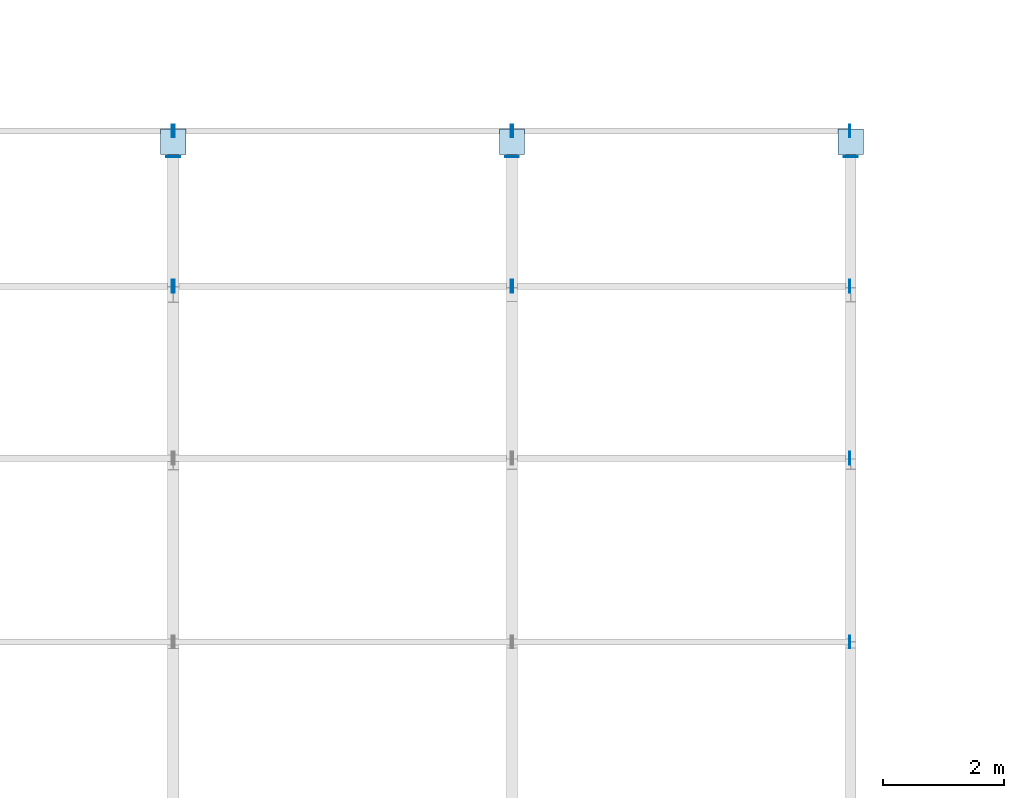
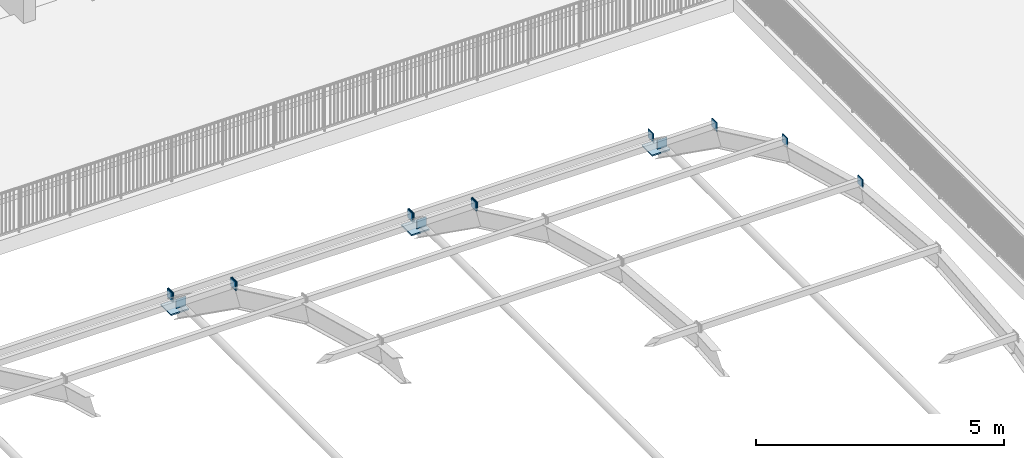
# One storey, part 50 of 79: 18 plates.
"""IFC4 building model written with IfcOpenShell, lengths in metres."""

from ifc_helpers import new_model, si_unit, direction, frame, origin, origin_2d, place, context, subcontext, project, spatial, rectangle, extrude, material, layer, layer_set, type_object, element, save


model = new_model("IFC4")

# Units and contexts
model_context = context("Model", 3, precision=1e-05, world=origin(), true_north=direction((0.0, 1.0)))
body_context = subcontext(model_context, "Body", "Model", "MODEL_VIEW")
ifc_project = project(units=[si_unit("LENGTHUNIT", "METRE"), si_unit("AREAUNIT", "SQUARE_METRE"), si_unit("VOLUMEUNIT", "CUBIC_METRE"), si_unit("PLANEANGLEUNIT", "RADIAN"), si_unit("MASSUNIT", "GRAM", prefix="KILO")], contexts=[model_context])

# Site, building, storey
site_placement = place(None, origin())
site = spatial("IfcSite", under=ifc_project, at=site_placement, CompositionType="ELEMENT")
building_placement = place(site_placement, origin())
building = spatial("IfcBuilding", under=site, at=building_placement, Name="Zantavel Square City Hall", CompositionType="ELEMENT")
storey_placement = place(building_placement, frame((0.0, 0.0, 10.199951171875)))
storey = spatial("IfcBuildingStorey", under=building, at=storey_placement, Name="L03", CompositionType="ELEMENT", Elevation=10.199951171875)

# Plates
ifc_material = material(Name="Steel ASTM A572 Grade 50", Category="steel")
ifc_layer_1 = layer(ifc_material, 0.01611328125, Name="Steel ASTM A572 Grade 50")
ifc_layer_set_1 = layer_set([ifc_layer_1], Name="Steel ASTM A572 Grade 50")
plate_type_1 = type_object("IfcPlateType", Name="CHS 168 End Cap Plate 16mm", PredefinedType="SHEET", material=ifc_layer_set_1)
for number, where, z_axis, x_axis, name in (
    (1, (136.800048828125, 64.35595703125, 0.16748046875), (0.0, 0.0, 1.0), (0.0, 1.0, 0.0), "Skylight Rib 3 Tie End Cap 2"),
    (2, (142.39990234375, 64.35595703125, 0.16748046875), (0.0, 0.0, 1.0), (0.0, 1.0, 0.0), "Skylight Rib 4 Tie End Cap 2"),
    (3, (148.0, 64.35595703125, 0.16748046875), (0.0, 0.0, 1.0), (0.0, 1.0, 0.0), "Skylight Rib 5 Tie End Cap 2"),
):
    element("IfcPlate", number, at=place(storey_placement, frame(where, z_axis=z_axis, x_axis=x_axis)), inside=storey, type_object=plate_type_1, Name=name, PredefinedType="SHEET", context=body_context, shape_type="SweptSolid", body=[
        extrude(rectangle(XDim=0.01611328125, YDim=0.22509765625, at=origin_2d()), origin(), (0.0, 0.0, 1.0), 0.22509765625),
    ])
ifc_layer_2 = layer(ifc_material, 0.01611328125, Name="Steel ASTM A572 Grade 50")
ifc_layer_set_2 = layer_set([ifc_layer_2], Name="Steel ASTM A572 Grade 50")
plate_type_2 = type_object("IfcPlateType", Name="HSS 152x102 End Cap Plate 16mm", PredefinedType="SHEET", material=ifc_layer_set_2)
for number, where, z_axis, x_axis, name in (
    (4, (136.785888671875, 62.215087890625, 1.927978515625), (0.0, 0.0, 1.0), (1.0, 0.0, 0.0), "Skylight Bay 2 Purlin 8 End Cap 2"),
    (5, (136.785888671875, 64.77978515625, 0.10595703125), (0.0, 0.0, 1.0), (1.0, 0.0, 0.0), "Skylight Bay 2 Purlin 9 End Cap 2"),
    (6, (136.81396484375, 62.215087890625, 1.927978515625), (0.0, 0.0, 1.0), (1.0, 0.0, 0.0), "Skylight Bay 3 Purlin 8 End Cap 1"),
    (7, (142.385986328125, 62.215087890625, 1.927978515625), (0.0, 0.0, 1.0), (1.0, 0.0, 0.0), "Skylight Bay 3 Purlin 8 End Cap 2"),
    (8, (136.81396484375, 64.77978515625, 0.10595703125), (0.0, 0.0, 1.0), (1.0, 0.0, 0.0), "Skylight Bay 3 Purlin 9 End Cap 1"),
    (9, (142.385986328125, 64.77978515625, 0.10595703125), (0.0, 0.0, 1.0), (1.0, 0.0, 0.0), "Skylight Bay 3 Purlin 9 End Cap 2"),
    (10, (147.986083984375, 56.333740234375, 4.0947265625), (0.0, 0.0, 1.0), (1.0, 0.0, 0.0), "Skylight Bay 4 Purlin 6 End Cap 2"),
    (11, (147.986083984375, 59.370361328125, 3.271484375), (0.0, 0.0, 1.0), (1.0, 0.0, 0.0), "Skylight Bay 4 Purlin 7 End Cap 2"),
    (12, (142.4140625, 62.215087890625, 1.927978515625), (0.0, 0.0, 1.0), (1.0, 0.0, 0.0), "Skylight Bay 4 Purlin 8 End Cap 1"),
    (13, (147.986083984375, 62.215087890625, 1.927978515625), (0.0, 0.0, 1.0), (1.0, 0.0, 0.0), "Skylight Bay 4 Purlin 8 End Cap 2"),
    (14, (142.4140625, 64.77978515625, 0.10595703125), (0.0, 0.0, 1.0), (1.0, 0.0, 0.0), "Skylight Bay 4 Purlin 9 End Cap 1"),
    (15, (147.986083984375, 64.77978515625, 0.10595703125), (0.0, 0.0, 1.0), (1.0, 0.0, 0.0), "Skylight Bay 4 Purlin 9 End Cap 2"),
):
    element("IfcPlate", number, at=place(storey_placement, frame(where, z_axis=z_axis, x_axis=x_axis)), inside=storey, type_object=plate_type_2, Name=name, PredefinedType="SHEET", context=body_context, shape_type="SweptSolid", body=[
        extrude(rectangle(XDim=0.01611328125, YDim=0.2099609375, at=origin_2d()), origin(), (0.0, 0.0, 1.0), 0.2099609375),
    ])
ifc_layer_3 = layer(ifc_material, 0.031982421875, Name="Steel ASTM A572 Grade 50")
ifc_layer_set_3 = layer_set([ifc_layer_3], Name="Steel ASTM A572 Grade 50")
plate_type_3 = type_object("IfcPlateType", Name="Skylight Rib Base Plate 420x420x32", PredefinedType="SHEET", material=ifc_layer_set_3)
for number, where, z_axis, x_axis, name in (
    (16, (136.800048828125, 64.60009765625, 0.0), (0.0, 0.0, 1.0), (1.0, 0.0, 0.0), "Skylight Base Plate 3-N"),
    (17, (142.39990234375, 64.60009765625, 0.0), (0.0, 0.0, 1.0), (1.0, 0.0, 0.0), "Skylight Base Plate 4-N"),
    (18, (148.0, 64.60009765625, 0.0), (0.0, 0.0, 1.0), (1.0, 0.0, 0.0), "Skylight Base Plate 5-N"),
):
    element("IfcPlate", number, at=place(storey_placement, frame(where, z_axis=z_axis, x_axis=x_axis)), inside=storey, type_object=plate_type_3, Name=name, PredefinedType="SHEET", context=body_context, shape_type="SweptSolid", body=[
        extrude(rectangle(XDim=0.419921875, YDim=0.419921875, at=origin_2d()), origin(), (0.0, 0.0, 1.0), 0.031982421875),
    ])

save(model, "model.ifc")
